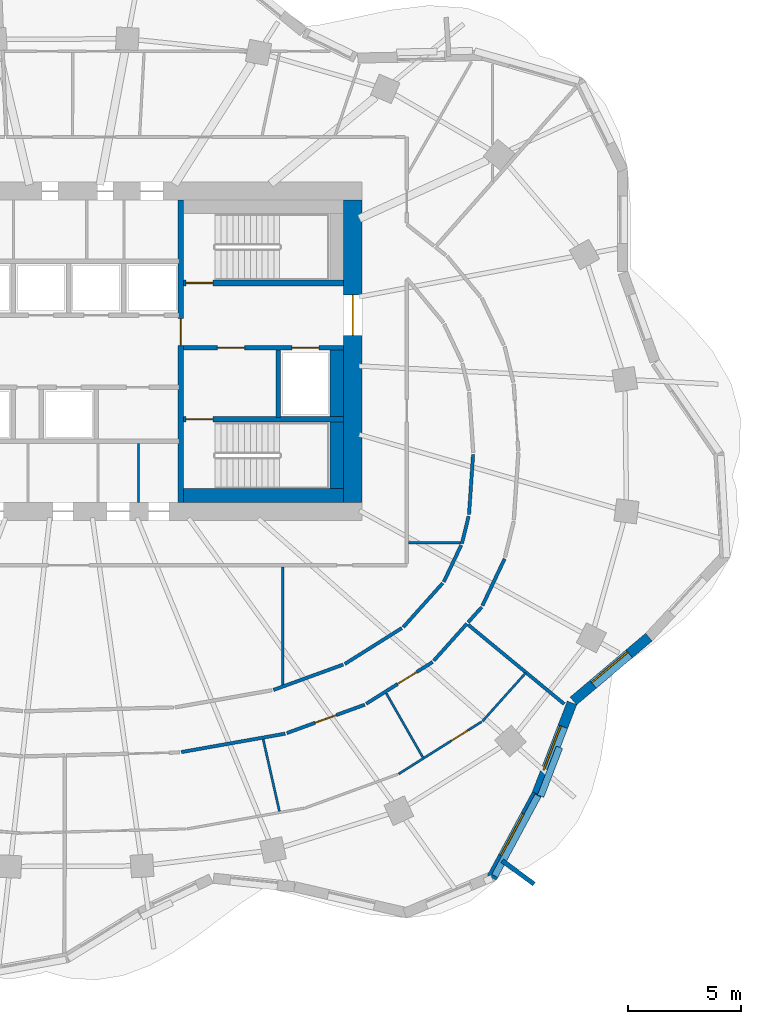
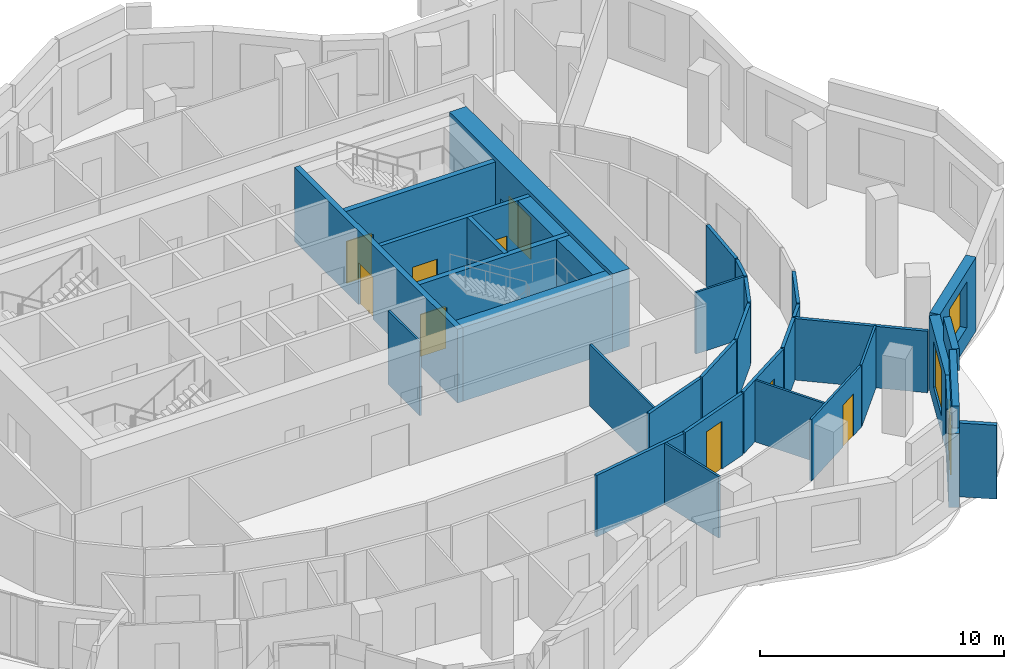
# One storey, part 8 of 13: 35 walls, 9 doors, 3 windows, 12 openings.
"""IFC4 building model written with IfcOpenShell, lengths in metres."""

from ifc_helpers import new_model, si_unit, direction, frame, frame_2d, origin, place, context, subcontext, project, spatial, rectangle, extrude, material, layer, layer_set, type_object, element, fill, save


model = new_model("IFC4")

# Units and contexts
model_context = context("Model", 3, precision=1e-05, world=origin(), true_north=direction((0.0, 1.0)))
body_context = subcontext(model_context, "Body", "Model", "MODEL_VIEW")
ifc_project = project(units=[si_unit("LENGTHUNIT", "METRE"), si_unit("AREAUNIT", "SQUARE_METRE"), si_unit("VOLUMEUNIT", "CUBIC_METRE"), si_unit("PLANEANGLEUNIT", "RADIAN"), si_unit("MASSUNIT", "GRAM", prefix="KILO")], contexts=[model_context])

# Site, building, storey
site_placement = place(None, origin())
site = spatial("IfcSite", under=ifc_project, at=site_placement, CompositionType="ELEMENT")
building_placement = place(site_placement, origin())
building = spatial("IfcBuilding", under=site, at=building_placement, Name="Rubra Terraces Tower", CompositionType="ELEMENT")
storey_placement = place(building_placement, frame((0.0, 0.0, 233.10009765625)))
storey = spatial("IfcBuildingStorey", under=building, at=storey_placement, Name="L57", CompositionType="ELEMENT", Elevation=233.10009765625)

# Wall, opening, window
ifc_material_1 = material(Name="Brick masonry red-brown", Category="masonry")
ifc_layer_1 = layer(ifc_material_1, 0.449951171875)
ifc_layer_set_1 = layer_set([ifc_layer_1], Name="Brick masonry red-brown")
wall_type_1 = type_object("IfcWallType", Name="Brick facade wall 450", PredefinedType="SOLIDWALL", material=ifc_layer_set_1)
wall_1_placement = place(storey_placement, frame((18.767333984375, -18.8544921875, 0.0), z_axis=(0.0, 0.0, 1.0), x_axis=(0.474475888716, 0.880268499395, 0.0)))
wall_1 = element("IfcWall", 1, at=wall_1_placement, inside=storey, type_object=wall_type_1, Name="Facade wall L57 bay 36", PredefinedType="SOLIDWALL", context=body_context, shape_type="SweptSolid", body=[
    extrude(rectangle(XDim=4.21923828125, YDim=0.449951171875, at=frame_2d((2.109619140625, 0.0))), origin(), (0.0, 0.0, 1.0), 3.699951171875),
])
opening_1_placement = place(wall_1_placement, frame((1.059814453125, 0.0, 0.89990234375)))
opening_1 = element("IfcOpeningElement", 2, at=opening_1_placement, cuts=wall_1, Name="Opening W1B", PredefinedType="OPENING", context=body_context, shape_type="SweptSolid", body=[
    extrude(rectangle(XDim=2.10009765625, YDim=2.300048828125, at=frame_2d((1.050048828125, 1.14990234375))), frame((0.0, 0.23486328125, 0.0), z_axis=(0.0, -1.0, 0.0), x_axis=(1.0, 0.0, 0.0)), (0.0, 0.0, 1.0), 0.469970703125),
])
ifc_material_2 = material(Name="Clear glass in aluminium frame", Category="aluminium")
window_type = type_object("IfcWindowType", Name="Fixed deep-set window tall storey 2100 x 2300", PartitioningType="SINGLE_PANEL", PredefinedType="WINDOW", material=ifc_material_2)
window_1_placement = place(opening_1_placement, origin())
window_1 = element("IfcWindow", 3, at=window_1_placement, inside=storey, type_object=window_type, Name="Window L57 bay 36", OverallHeight=2.300048828125, OverallWidth=2.10009765625, PartitioningType="SINGLE_PANEL", PredefinedType="WINDOW", context=body_context, shape_type="SweptSolid", body=[
    extrude(rectangle(XDim=2.10009765625, YDim=2.300048828125, at=frame_2d((1.050048828125, 1.14990234375))), frame((0.0, 0.135009765625, 0.0), z_axis=(0.0, -1.0, 0.0), x_axis=(1.0, 0.0, 0.0)), (0.0, 0.0, 1.0), 0.06005859375),
])
fill(opening_1, window_1)

wall_2_placement = place(storey_placement, frame((20.757080078125, -15.166015625, 0.0), z_axis=(0.0, 0.0, 1.0), x_axis=(0.360067043581, 0.932926430179, 0.0)))
wall_2 = element("IfcWall", 4, at=wall_2_placement, inside=storey, type_object=wall_type_1, Name="Facade wall L57 bay 37", PredefinedType="SOLIDWALL", context=body_context, shape_type="SweptSolid", body=[
    extrude(rectangle(XDim=4.35986328125, YDim=0.449951171875, at=frame_2d((2.179931640625, 0.0))), origin(), (0.0, 0.0, 1.0), 3.699951171875),
])
opening_2_placement = place(wall_2_placement, frame((1.1298828125, 0.0, 0.89990234375)))
opening_2 = element("IfcOpeningElement", 5, at=opening_2_placement, cuts=wall_2, Name="Opening W1B", PredefinedType="OPENING", context=body_context, shape_type="SweptSolid", body=[
    extrude(rectangle(XDim=2.10009765625, YDim=2.300048828125, at=frame_2d((1.050048828125, 1.14990234375))), frame((0.0, 0.23486328125, 0.0), z_axis=(0.0, -1.0, 0.0), x_axis=(1.0, 0.0, 0.0)), (0.0, 0.0, 1.0), 0.469970703125),
])
window_2_placement = place(opening_2_placement, origin())
window_2 = element("IfcWindow", 6, at=window_2_placement, inside=storey, type_object=window_type, Name="Window L57 bay 37", OverallHeight=2.300048828125, OverallWidth=2.10009765625, PartitioningType="SINGLE_PANEL", PredefinedType="WINDOW", context=body_context, shape_type="SweptSolid", body=[
    extrude(rectangle(XDim=2.10009765625, YDim=2.300048828125, at=frame_2d((1.050048828125, 1.14990234375))), frame((0.0, 0.135009765625, 0.0), z_axis=(0.0, -1.0, 0.0), x_axis=(1.0, 0.0, 0.0)), (0.0, 0.0, 1.0), 0.06005859375),
])
fill(opening_2, window_2)

wall_3_placement = place(storey_placement, frame((22.385986328125, -11.014404296875, 0.0), z_axis=(0.0, 0.0, 1.0), x_axis=(0.763569952162, 0.645725118108, 0.0)))
wall_3 = element("IfcWall", 7, at=wall_3_placement, inside=storey, type_object=wall_type_1, Name="Facade wall L57 bay 38", PredefinedType="SOLIDWALL", context=body_context, shape_type="SweptSolid", body=[
    extrude(rectangle(XDim=4.3857421875, YDim=0.449951171875, at=frame_2d((2.19287109375, 0.0))), origin(), (0.0, 0.0, 1.0), 3.699951171875),
])
opening_3_placement = place(wall_3_placement, frame((1.14306640625, 0.0, 0.89990234375)))
opening_3 = element("IfcOpeningElement", 8, at=opening_3_placement, cuts=wall_3, Name="Opening W1B", PredefinedType="OPENING", context=body_context, shape_type="SweptSolid", body=[
    extrude(rectangle(XDim=2.10009765625, YDim=2.300048828125, at=frame_2d((1.050048828125, 1.14990234375))), frame((0.0, 0.23486328125, 0.0), z_axis=(0.0, -1.0, 0.0), x_axis=(1.0, 0.0, 0.0)), (0.0, 0.0, 1.0), 0.469970703125),
])
window_3_placement = place(opening_3_placement, origin())
window_3 = element("IfcWindow", 9, at=window_3_placement, inside=storey, type_object=window_type, Name="Window L57 bay 38", OverallHeight=2.300048828125, OverallWidth=2.10009765625, PartitioningType="SINGLE_PANEL", PredefinedType="WINDOW", context=body_context, shape_type="SweptSolid", body=[
    extrude(rectangle(XDim=2.10009765625, YDim=2.300048828125, at=frame_2d((1.050048828125, 1.14990234375))), frame((0.0, 0.135009765625, 0.0), z_axis=(0.0, -1.0, 0.0), x_axis=(1.0, 0.0, 0.0)), (0.0, 0.0, 1.0), 0.06005859375),
])
fill(opening_3, window_3)

# Walls
ifc_layer_2 = layer(ifc_material_1, 0.300048828125)
ifc_layer_set_2 = layer_set([ifc_layer_2], Name="Brick masonry red-brown")
wall_type_2 = type_object("IfcWallType", Name="Brick parapet 300", PredefinedType="PARAPET", material=ifc_layer_set_2)
wall_4_placement = place(storey_placement, frame((18.896484375, -18.7734375, 3.89990234375), z_axis=(0.0, 0.0, 1.0), x_axis=(0.474444905835, 0.880285198857, 0.0)))
element("IfcWall", 10, at=wall_4_placement, inside=storey, type_object=wall_type_2, Name="Parapet L57 bay 36", PredefinedType="PARAPET", context=body_context, shape_type="SweptSolid", body=[
    extrude(rectangle(XDim=4.0498046875, YDim=0.300048828125, at=frame_2d((2.02490234375, 0.0))), origin(), (0.0, 0.0, 1.0), 1.10009765625),
])
wall_5_placement = place(storey_placement, frame((20.932861328125, -15.236572265625, 3.89990234375), z_axis=(0.0, 0.0, 1.0), x_axis=(0.360021038217, 0.932944184848, 0.0)))
element("IfcWall", 11, at=wall_5_placement, inside=storey, type_object=wall_type_2, Name="Parapet L57 bay 37", PredefinedType="PARAPET", context=body_context, shape_type="SweptSolid", body=[
    extrude(rectangle(XDim=2.3232421875, YDim=0.300048828125, at=frame_2d((1.16162109375, 0.0))), origin(), (0.0, 0.0, 1.0), 1.10009765625),
])
ifc_layer_3 = layer(ifc_material_1, 0.199951171875)
ifc_layer_set_3 = layer_set([ifc_layer_3], Name="Brick masonry red-brown")
wall_type_3 = type_object("IfcWallType", Name="Brick wind fin 200", PredefinedType="SOLIDWALL", material=ifc_layer_set_3)
wall_6_placement = place(storey_placement, frame((19.23095703125, -18.09912109375, 0.0), z_axis=(0.0, 0.0, 1.0), x_axis=(0.806085538754, -0.591799040394, 0.0)))
element("IfcWall", 12, at=wall_6_placement, inside=storey, type_object=wall_type_3, Name="Wind fin L57 21", PredefinedType="SOLIDWALL", context=body_context, shape_type="SweptSolid", body=[
    extrude(rectangle(XDim=1.75, YDim=0.199951171875, at=frame_2d((0.875, 0.0))), origin(), (0.0, 0.0, 1.0), 3.699951171875),
])

# Wall, opening, door
ifc_material_3 = material(Name="Concrete C50", Category="concrete")
ifc_layer_4 = layer(ifc_material_3, 0.800048828125)
ifc_layer_set_4 = layer_set([ifc_layer_4], Name="Concrete C50")
wall_type_4 = type_object("IfcWallType", Name="CORE WALL 800 C50", PredefinedType="SHEAR", material=ifc_layer_set_4)
wall_7_placement = place(storey_placement, frame((12.60009765625, -2.199951171875, 0.0), z_axis=(0.0, 0.0, 1.0), x_axis=(0.0, 1.0, 0.0)))
wall_7 = element("IfcWall", 13, at=wall_7_placement, inside=storey, type_object=wall_type_4, Name="CORE WALL E L57", PredefinedType="SHEAR", context=body_context, shape_type="SweptSolid", body=[
    extrude(rectangle(XDim=13.39990234375, YDim=0.800048828125, at=frame_2d((6.699951171875, 0.0))), origin(), (0.0, 0.0, 1.0), 3.89990234375),
])
opening_4_placement = place(wall_7_placement, frame((7.39990234375, 0.0, 0.0)))
opening_4 = element("IfcOpeningElement", 14, at=opening_4_placement, cuts=wall_7, Name="Opening L57.C02", PredefinedType="OPENING", context=body_context, shape_type="SweptSolid", body=[
    extrude(rectangle(XDim=1.800048828125, YDim=2.10009765625, at=frame_2d((0.89990234375, 1.050048828125))), frame((0.0, 0.409912109375, 0.0), z_axis=(0.0, -1.0, 0.0), x_axis=(1.0, 0.0, 0.0)), (0.0, 0.0, 1.0), 0.820068359375),
])
ifc_material_4 = material(Name="Painted steel", Category="steel")
door_type_1 = type_object("IfcDoorType", Name="Fire door 1800x2100 double", OperationType="NOTDEFINED", PredefinedType="DOOR", material=ifc_material_4)
door_1_placement = place(opening_4_placement, origin())
door_1 = element("IfcDoor", 15, at=door_1_placement, inside=storey, type_object=door_type_1, Name="Core entrance door FF2", OperationType="DOUBLE_DOOR_SINGLE_SWING", OverallHeight=2.10009765625, OverallWidth=1.800048828125, PredefinedType="DOOR", context=body_context, shape_type="SweptSolid", body=[
    extrude(rectangle(XDim=1.800048828125, YDim=2.10009765625, at=frame_2d((0.89990234375, 1.050048828125))), frame((0.0, 0.02490234375, 0.0), z_axis=(0.0, -1.0, 0.0), x_axis=(1.0, 0.0, 0.0)), (0.0, 0.0, 1.0), 0.050048828125),
])
fill(opening_4, door_1)

# Wall
ifc_material_5 = material(Name="Plasterboard on steel stud, mineral wool infill", Category="steel")
ifc_layer_5 = layer(ifc_material_5, 0.14990234375)
ifc_layer_set_5 = layer_set([ifc_layer_5], Name="Plasterboard on steel stud, mineral wool infill")
wall_type_5 = type_object("IfcWallType", Name="CORRIDOR PARTITION 150", PredefinedType="PARTITIONING", material=ifc_layer_set_5)
wall_8_placement = place(storey_placement, frame((4.994873046875, -13.28125, 0.0), z_axis=(0.0, 0.0, 1.0), x_axis=(0.98463411377, 0.174630071865, 0.0)))
element("IfcWall", 16, at=wall_8_placement, inside=storey, type_object=wall_type_5, Name="PARTITION", PredefinedType="PARTITIONING", context=body_context, shape_type="SweptSolid", body=[
    extrude(rectangle(XDim=4.68212890625, YDim=0.14990234375, at=frame_2d((2.341064453125, 0.0))), origin(), (0.0, 0.0, 1.0), 3.083984375),
])

# Wall, opening, door
wall_9_placement = place(storey_placement, frame((9.675537109375, -12.43798828125, 0.0), z_axis=(0.0, 0.0, 1.0), x_axis=(0.939640289748, 0.342163887461, 0.0)))
wall_9 = element("IfcWall", 17, at=wall_9_placement, inside=storey, type_object=wall_type_5, Name="PARTITION", PredefinedType="PARTITIONING", context=body_context, shape_type="SweptSolid", body=[
    extrude(rectangle(XDim=3.6796875, YDim=0.14990234375, at=frame_2d((1.83984375, 0.0))), origin(), (0.0, 0.0, 1.0), 3.083984375),
])
opening_5_placement = place(wall_9_placement, frame((1.3369140625, 0.0, 0.0)))
opening_5 = element("IfcOpeningElement", 18, at=opening_5_placement, cuts=wall_9, Name="Opening 57-109", PredefinedType="OPENING", context=body_context, shape_type="SweptSolid", body=[
    extrude(rectangle(XDim=1.0, YDim=2.39990234375, at=frame_2d((0.5, 1.199951171875))), frame((0.0, 0.0849609375, 0.0), z_axis=(0.0, -1.0, 0.0), x_axis=(1.0, 0.0, 0.0)), (0.0, 0.0, 1.0), 0.169921875),
])
ifc_material_6 = material(Name="Glazed aluminium meeting door leaf", Category="aluminium")
door_type_2 = type_object("IfcDoorType", Name="MEETING ROOM GLAZED DOOR 1000 X 2400", OperationType="SINGLE_SWING_LEFT", PredefinedType="DOOR", material=ifc_material_6)
door_2_placement = place(opening_5_placement, origin())
door_2 = element("IfcDoor", 19, at=door_2_placement, inside=storey, type_object=door_type_2, Name="DOOR 57-109", OperationType="SINGLE_SWING_RIGHT", OverallHeight=2.39990234375, OverallWidth=1.0, PredefinedType="DOOR", context=body_context, shape_type="SweptSolid", body=[
    extrude(rectangle(XDim=1.0, YDim=2.39990234375, at=frame_2d((0.5, 1.199951171875))), frame((0.0, 0.02490234375, 0.0), z_axis=(0.0, -1.0, 0.0), x_axis=(1.0, 0.0, 0.0)), (0.0, 0.0, 1.0), 0.050048828125),
])
fill(opening_5, door_2)

wall_10_placement = place(storey_placement, frame((13.196533203125, -11.138916015625, 0.0), z_axis=(0.0, 0.0, 1.0), x_axis=(0.846390903833, 0.532562144644, 0.0)))
wall_10 = element("IfcWall", 20, at=wall_10_placement, inside=storey, type_object=wall_type_5, Name="PARTITION", PredefinedType="PARTITIONING", context=body_context, shape_type="SweptSolid", body=[
    extrude(rectangle(XDim=3.481201171875, YDim=0.14990234375, at=frame_2d((1.74072265625, 0.0))), origin(), (0.0, 0.0, 1.0), 3.083984375),
])
opening_6_placement = place(wall_10_placement, frame((1.64990234375, 0.0, 0.0)))
opening_6 = element("IfcOpeningElement", 21, at=opening_6_placement, cuts=wall_10, Name="Opening 57-127", PredefinedType="OPENING", context=body_context, shape_type="SweptSolid", body=[
    extrude(rectangle(XDim=1.0, YDim=2.10009765625, at=frame_2d((0.5, 1.050048828125))), frame((0.0, 0.0849609375, 0.0), z_axis=(0.0, -1.0, 0.0), x_axis=(1.0, 0.0, 0.0)), (0.0, 0.0, 1.0), 0.169921875),
])
ifc_material_7 = material(Name="Painted timber door leaf", Category="wood")
door_type_3 = type_object("IfcDoorType", Name="ROOM DOOR 1000 X 2100", OperationType="SINGLE_SWING_LEFT", PredefinedType="DOOR", material=ifc_material_7)
door_3_placement = place(opening_6_placement, origin())
door_3 = element("IfcDoor", 22, at=door_3_placement, inside=storey, type_object=door_type_3, Name="DOOR 57-127", OperationType="SINGLE_SWING_RIGHT", OverallHeight=2.10009765625, OverallWidth=1.0, PredefinedType="DOOR", context=body_context, shape_type="SweptSolid", body=[
    extrude(rectangle(XDim=1.0, YDim=2.10009765625, at=frame_2d((0.5, 1.050048828125))), frame((0.0, 0.02490234375, 0.0), z_axis=(0.0, -1.0, 0.0), x_axis=(1.0, 0.0, 0.0)), (0.0, 0.0, 1.0), 0.050048828125),
])
fill(opening_6, door_3)

# Walls
wall_11_placement = place(storey_placement, frame((16.193115234375, -9.22900390625, 0.0), z_axis=(0.0, 0.0, 1.0), x_axis=(0.666901607283, 0.745145788556, 0.0)))
element("IfcWall", 23, at=wall_11_placement, inside=storey, type_object=wall_type_5, Name="PARTITION", PredefinedType="PARTITIONING", context=body_context, shape_type="SweptSolid", body=[
    extrude(rectangle(XDim=2.2060546875, YDim=0.14990234375, at=frame_2d((1.10302734375, 0.0))), origin(), (0.0, 0.0, 1.0), 3.083984375),
])
wall_12_placement = place(storey_placement, frame((17.714111328125, -7.529296875, 0.0), z_axis=(0.0, 0.0, 1.0), x_axis=(0.666975287656, 0.745079838444, 0.0)))
element("IfcWall", 24, at=wall_12_placement, inside=storey, type_object=wall_type_5, Name="PARTITION", PredefinedType="PARTITIONING", context=body_context, shape_type="SweptSolid", body=[
    extrude(rectangle(XDim=0.90966796875, YDim=0.14990234375, at=frame_2d((0.454833984375, 0.0))), origin(), (0.0, 0.0, 1.0), 3.083984375),
])
wall_13_placement = place(storey_placement, frame((18.35302734375, -6.78369140625, 0.0), z_axis=(0.0, 0.0, 1.0), x_axis=(0.428086344739, 0.903737838894, 0.0)))
element("IfcWall", 25, at=wall_13_placement, inside=storey, type_object=wall_type_5, Name="PARTITION", PredefinedType="PARTITIONING", context=body_context, shape_type="SweptSolid", body=[
    extrude(rectangle(XDim=2.299560546875, YDim=0.14990234375, at=frame_2d((1.14990234375, 0.0))), origin(), (0.0, 0.0, 1.0), 3.083984375),
])
wall_14_placement = place(storey_placement, frame((17.939208984375, -0.07470703125, 0.0), z_axis=(0.0, 0.0, 1.0), x_axis=(-0.068226099283, -0.99766988497, 0.0)))
element("IfcWall", 26, at=wall_14_placement, inside=storey, type_object=wall_type_5, Name="PARTITION", PredefinedType="PARTITIONING", context=body_context, shape_type="SweptSolid", body=[
    extrude(rectangle(XDim=2.6767578125, YDim=0.14990234375, at=frame_2d((1.33837890625, 0.0))), origin(), (0.0, 0.0, 1.0), 3.083984375),
])
wall_15_placement = place(storey_placement, frame((17.739013671875, -2.818115234375, 0.0), z_axis=(0.0, 0.0, 1.0), x_axis=(-0.236884307907, -0.971537865792, 0.0)))
element("IfcWall", 27, at=wall_15_placement, inside=storey, type_object=wall_type_5, Name="PARTITION", PredefinedType="PARTITIONING", context=body_context, shape_type="SweptSolid", body=[
    extrude(rectangle(XDim=1.251220703125, YDim=0.14990234375, at=frame_2d((0.62548828125, 0.0))), origin(), (0.0, 0.0, 1.0), 3.083984375),
])
wall_16_placement = place(storey_placement, frame((17.410400390625, -4.1015625, 0.0), z_axis=(0.0, 0.0, 1.0), x_axis=(-0.428074720318, -0.903743345107, 0.0)))
element("IfcWall", 28, at=wall_16_placement, inside=storey, type_object=wall_type_5, Name="PARTITION", PredefinedType="PARTITIONING", context=body_context, shape_type="SweptSolid", body=[
    extrude(rectangle(XDim=1.8056640625, YDim=0.14990234375, at=frame_2d((0.90283203125, 0.0))), origin(), (0.0, 0.0, 1.0), 3.083984375),
])
wall_17_placement = place(storey_placement, frame((16.58740234375, -5.789306640625, 0.0), z_axis=(0.0, 0.0, 1.0), x_axis=(-0.666887460656, -0.745158449472, 0.0)))
element("IfcWall", 29, at=wall_17_placement, inside=storey, type_object=wall_type_5, Name="PARTITION", PredefinedType="PARTITIONING", context=body_context, shape_type="SweptSolid", body=[
    extrude(rectangle(XDim=2.6201171875, YDim=0.14990234375, at=frame_2d((1.31005859375, 0.0))), origin(), (0.0, 0.0, 1.0), 3.083984375),
])
wall_18_placement = place(storey_placement, frame((14.776611328125, -7.781494140625, 0.0), z_axis=(0.0, 0.0, 1.0), x_axis=(-0.846359741043, -0.532611667862, 0.0)))
element("IfcWall", 30, at=wall_18_placement, inside=storey, type_object=wall_type_5, Name="PARTITION", PredefinedType="PARTITIONING", context=body_context, shape_type="SweptSolid", body=[
    extrude(rectangle(XDim=2.9873046875, YDim=0.14990234375, at=frame_2d((1.49365234375, 0.0))), origin(), (0.0, 0.0, 1.0), 3.083984375),
])
wall_19_placement = place(storey_placement, frame((12.177734375, -9.398193359375, 0.0), z_axis=(0.0, 0.0, 1.0), x_axis=(-0.939609240084, -0.342249143093, 0.0)))
element("IfcWall", 31, at=wall_19_placement, inside=storey, type_object=wall_type_5, Name="PARTITION", PredefinedType="PARTITIONING", context=body_context, shape_type="SweptSolid", body=[
    extrude(rectangle(XDim=3.2919921875, YDim=0.14990234375, at=frame_2d((1.64599609375, 0.0))), origin(), (0.0, 0.0, 1.0), 3.083984375),
])
ifc_material_8 = material(Name="Concrete C40", Category="concrete")
ifc_layer_6 = layer(ifc_material_8, 0.60009765625)
ifc_layer_set_6 = layer_set([ifc_layer_6], Name="Concrete C40")
wall_type_6 = type_object("IfcWallType", Name="Core lining wall 600 concrete", PredefinedType="SOLIDWALL", material=ifc_layer_set_6)
wall_20_placement = place(storey_placement, frame((11.89990234375, 4.550048828125, 0.0), z_axis=(0.0, 0.0, 1.0), x_axis=(0.0, -1.0, 0.0)))
element("IfcWall", 32, at=wall_20_placement, inside=storey, type_object=wall_type_6, Name="CORE LINING WALL L57", PredefinedType="SOLIDWALL", context=body_context, shape_type="SweptSolid", body=[
    extrude(rectangle(XDim=3.0, YDim=0.60009765625, at=frame_2d((1.5, 0.0))), origin(), (0.0, 0.0, 1.0), 3.699951171875),
])
wall_21_placement = place(storey_placement, frame((11.89990234375, 1.35009765625, 0.0), z_axis=(0.0, 0.0, 1.0), x_axis=(0.0, -1.0, 0.0)))
element("IfcWall", 33, at=wall_21_placement, inside=storey, type_object=wall_type_6, Name="CORE LINING WALL L57", PredefinedType="SOLIDWALL", context=body_context, shape_type="SweptSolid", body=[
    extrude(rectangle(XDim=2.9501953125, YDim=0.60009765625, at=frame_2d((1.47509765625, 0.0))), origin(), (0.0, 0.0, 1.0), 3.699951171875),
])
wall_22_placement = place(storey_placement, frame((12.199951171875, -1.89990234375, 0.0), z_axis=(0.0, 0.0, 1.0), x_axis=(-1.0, 0.0, 0.0)))
element("IfcWall", 34, at=wall_22_placement, inside=storey, type_object=wall_type_6, Name="CORE LINING WALL L57", PredefinedType="SOLIDWALL", context=body_context, shape_type="SweptSolid", body=[
    extrude(rectangle(XDim=7.099853515625, YDim=0.60009765625, at=frame_2d((3.5498046875, 0.0))), origin(), (0.0, 0.0, 1.0), 3.699951171875),
])

# Wall, openings, doors
ifc_material_9 = material(Name="Concrete C30", Category="concrete")
ifc_layer_7 = layer(ifc_material_9, 0.199951171875)
ifc_layer_set_7 = layer_set([ifc_layer_7], Name="Concrete C30")
wall_type_7 = type_object("IfcWallType", Name="Core wall 200 concrete", PredefinedType="SOLIDWALL", material=ifc_layer_set_7)
wall_23_placement = place(storey_placement, frame((12.199951171875, 4.64990234375, 0.0), z_axis=(0.0, 0.0, 1.0), x_axis=(-1.0, 0.0, 0.0)))
wall_23 = element("IfcWall", 35, at=wall_23_placement, inside=storey, type_object=wall_type_7, Name="STAIR WALL L57", PredefinedType="SOLIDWALL", context=body_context, shape_type="SweptSolid", body=[
    extrude(rectangle(XDim=7.099853515625, YDim=0.199951171875, at=frame_2d((3.5498046875, 0.0))), origin(), (0.0, 0.0, 1.0), 3.699951171875),
])
opening_7_placement = place(wall_23_placement, frame((4.39990234375, 0.0, 0.0)))
opening_7 = element("IfcOpeningElement", 36, at=opening_7_placement, cuts=wall_23, Name="Opening L57.C06", PredefinedType="OPENING", context=body_context, shape_type="SweptSolid", body=[
    extrude(rectangle(XDim=1.199951171875, YDim=2.10009765625, at=frame_2d((0.60009765625, 1.050048828125))), frame((0.0, 0.10986328125, 0.0), z_axis=(0.0, -1.0, 0.0), x_axis=(1.0, 0.0, 0.0)), (0.0, 0.0, 1.0), 0.219970703125),
])
opening_8_placement = place(wall_23_placement, frame((1.10009765625, 0.0, 0.0)))
opening_8 = element("IfcOpeningElement", 37, at=opening_8_placement, cuts=wall_23, Name="Opening L57.C12", PredefinedType="OPENING", context=body_context, shape_type="SweptSolid", body=[
    extrude(rectangle(XDim=1.199951171875, YDim=2.10009765625, at=frame_2d((0.60009765625, 1.050048828125))), frame((0.0, 0.10986328125, 0.0), z_axis=(0.0, -1.0, 0.0), x_axis=(1.0, 0.0, 0.0)), (0.0, 0.0, 1.0), 0.219970703125),
])
door_type_4 = type_object("IfcDoorType", Name="Fire door 1200x2100 single", OperationType="NOTDEFINED", PredefinedType="DOOR", material=ifc_material_4)
door_4_placement = place(opening_7_placement, origin())
door_4 = element("IfcDoor", 38, at=door_4_placement, inside=storey, type_object=door_type_4, Name="Stair vestibule door S4", OperationType="SINGLE_SWING_RIGHT", OverallHeight=2.10009765625, OverallWidth=1.199951171875, PredefinedType="DOOR", context=body_context, shape_type="SweptSolid", body=[
    extrude(rectangle(XDim=1.199951171875, YDim=2.10009765625, at=frame_2d((0.60009765625, 1.050048828125))), frame((0.0, 0.02490234375, 0.0), z_axis=(0.0, -1.0, 0.0), x_axis=(1.0, 0.0, 0.0)), (0.0, 0.0, 1.0), 0.050048828125),
])
fill(opening_7, door_4)
ifc_material_10 = material(Name="Stainless steel", Category="steel")
door_type_5 = type_object("IfcDoorType", Name="Lift landing door 1200x2100", OperationType="NOTDEFINED", PredefinedType="DOOR", material=ifc_material_10)
door_5_placement = place(opening_8_placement, origin())
door_5 = element("IfcDoor", 39, at=door_5_placement, inside=storey, type_object=door_type_5, Name="Landing door FF2", OperationType="SLIDING_TO_RIGHT", OverallHeight=2.10009765625, OverallWidth=1.199951171875, PredefinedType="DOOR", context=body_context, shape_type="SweptSolid", body=[
    extrude(rectangle(XDim=1.199951171875, YDim=2.10009765625, at=frame_2d((0.60009765625, 1.050048828125))), frame((0.0, 0.02490234375, 0.0), z_axis=(0.0, -1.0, 0.0), x_axis=(1.0, 0.0, 0.0)), (0.0, 0.0, 1.0), 0.050048828125),
])
fill(opening_8, door_5)

# Walls
wall_24_placement = place(storey_placement, frame((9.300048828125, 4.550048828125, 0.0), z_axis=(0.0, 0.0, 1.0), x_axis=(0.0, -1.0, 0.0)))
element("IfcWall", 40, at=wall_24_placement, inside=storey, type_object=wall_type_7, Name="STAIR WALL L57", PredefinedType="SOLIDWALL", context=body_context, shape_type="SweptSolid", body=[
    extrude(rectangle(XDim=3.0, YDim=0.199951171875, at=frame_2d((1.5, 0.0))), origin(), (0.0, 0.0, 1.0), 3.699951171875),
])
ifc_material_11 = material(Name="Plasterboard on steel stud", Category="steel")
ifc_layer_8 = layer(ifc_material_11, 0.10009765625)
ifc_layer_set_8 = layer_set([ifc_layer_8], Name="Plasterboard on steel stud")
wall_type_8 = type_object("IfcWallType", Name="ROOM PARTITION 100", PredefinedType="PARTITIONING", material=ifc_layer_set_8)
wall_25_placement = place(storey_placement, frame((20.27490234375, -9.7666015625, 0.0), z_axis=(0.0, 0.0, 1.0), x_axis=(-0.66695374861, -0.745099119054, 0.0)))
element("IfcWall", 41, at=wall_25_placement, inside=storey, type_object=wall_type_8, Name="PARTITION", PredefinedType="PARTITIONING", context=body_context, shape_type="SweptSolid", body=[
    extrude(rectangle(XDim=2.874267578125, YDim=0.10009765625, at=frame_2d((1.43701171875, 0.0))), origin(), (0.0, 0.0, 1.0), 3.083984375),
])

# Wall, opening, door
wall_26_placement = place(storey_placement, frame((18.315673828125, -11.934814453125, 0.0), z_axis=(0.0, 0.0, 1.0), x_axis=(-0.84637539713, -0.532586788358, 0.0)))
wall_26 = element("IfcWall", 42, at=wall_26_placement, inside=storey, type_object=wall_type_8, Name="PARTITION", PredefinedType="PARTITIONING", context=body_context, shape_type="SweptSolid", body=[
    extrude(rectangle(XDim=4.34619140625, YDim=0.10009765625, at=frame_2d((2.173095703125, 0.0))), origin(), (0.0, 0.0, 1.0), 3.083984375),
])
opening_9_placement = place(wall_26_placement, frame((0.699951171875, 0.0, 0.0)))
opening_9 = element("IfcOpeningElement", 43, at=opening_9_placement, cuts=wall_26, Name="Opening 57-110", PredefinedType="OPENING", context=body_context, shape_type="SweptSolid", body=[
    extrude(rectangle(XDim=0.89990234375, YDim=2.10009765625, at=frame_2d((0.449951171875, 1.050048828125))), frame((0.0, 0.06005859375, 0.0), z_axis=(0.0, -1.0, 0.0), x_axis=(1.0, 0.0, 0.0)), (0.0, 0.0, 1.0), 0.1201171875),
])
door_type_6 = type_object("IfcDoorType", Name="ROOM DOOR 900 X 2100", OperationType="SINGLE_SWING_LEFT", PredefinedType="DOOR", material=ifc_material_7)
door_6_placement = place(opening_9_placement, origin())
door_6 = element("IfcDoor", 44, at=door_6_placement, inside=storey, type_object=door_type_6, Name="DOOR 57-110", OperationType="SINGLE_SWING_LEFT", OverallHeight=2.10009765625, OverallWidth=0.89990234375, PredefinedType="DOOR", context=body_context, shape_type="SweptSolid", body=[
    extrude(rectangle(XDim=0.89990234375, YDim=2.10009765625, at=frame_2d((0.449951171875, 1.050048828125))), frame((0.0, 0.02490234375, 0.0), z_axis=(0.0, -1.0, 0.0), x_axis=(1.0, 0.0, 0.0)), (0.0, 0.0, 1.0), 0.050048828125),
])
fill(opening_9, door_6)

# Walls
wall_27_placement = place(storey_placement, frame((8.627197265625, -12.71337890625, 0.0), z_axis=(0.0, 0.0, 1.0), x_axis=(0.220343151244, -0.975422419109, 0.0)))
element("IfcWall", 45, at=wall_27_placement, inside=storey, type_object=wall_type_8, Name="PARTITION", PredefinedType="PARTITIONING", context=body_context, shape_type="SweptSolid", body=[
    extrude(rectangle(XDim=3.278564453125, YDim=0.10009765625, at=frame_2d((1.63916015625, 0.0))), origin(), (0.0, 0.0, 1.0), 3.083984375),
])
wall_28_placement = place(storey_placement, frame((14.083984375, -10.6689453125, 0.0), z_axis=(0.0, 0.0, 1.0), x_axis=(0.495922375445, -0.868366856538, 0.0)))
element("IfcWall", 46, at=wall_28_placement, inside=storey, type_object=wall_type_8, Name="PARTITION", PredefinedType="PARTITIONING", context=body_context, shape_type="SweptSolid", body=[
    extrude(rectangle(XDim=3.2783203125, YDim=0.10009765625, at=frame_2d((1.63916015625, 0.0))), origin(), (0.0, 0.0, 1.0), 3.083984375),
])
wall_29_placement = place(storey_placement, frame((9.5, -10.298583984375, 0.0), z_axis=(0.0, 0.0, 1.0), x_axis=(0.0, 1.0, 0.0)))
element("IfcWall", 47, at=wall_29_placement, inside=storey, type_object=wall_type_8, Name="PARTITION", PredefinedType="PARTITIONING", context=body_context, shape_type="SweptSolid", body=[
    extrude(rectangle(XDim=5.2236328125, YDim=0.10009765625, at=frame_2d((2.61181640625, 0.0))), origin(), (0.0, 0.0, 1.0), 3.083984375),
])
wall_30_placement = place(storey_placement, frame((15.074951171875, -4.0, 0.0), z_axis=(0.0, 0.0, 1.0), x_axis=(1.0, 0.0, 0.0)))
element("IfcWall", 48, at=wall_30_placement, inside=storey, type_object=wall_type_8, Name="PARTITION", PredefinedType="PARTITIONING", context=body_context, shape_type="SweptSolid", body=[
    extrude(rectangle(XDim=2.30078125, YDim=0.10009765625, at=frame_2d((1.150390625, 0.0))), origin(), (0.0, 0.0, 1.0), 3.083984375),
])
ifc_layer_9 = layer(ifc_material_11, 0.14990234375)
ifc_layer_set_9 = layer_set([ifc_layer_9], Name="Plasterboard on steel stud")
wall_type_9 = type_object("IfcWallType", Name="ROOM PARTITION 150", PredefinedType="PARTITIONING", material=ifc_layer_set_9)
wall_31_placement = place(storey_placement, frame((21.981201171875, -11.149658203125, 0.0), z_axis=(0.0, 0.0, 1.0), x_axis=(-0.771133462492, 0.63667352939, 0.0)))
element("IfcWall", 49, at=wall_31_placement, inside=storey, type_object=wall_type_9, Name="PARTITION", PredefinedType="PARTITIONING", context=body_context, shape_type="SweptSolid", body=[
    extrude(rectangle(XDim=5.5234375, YDim=0.14990234375, at=frame_2d((2.76171875, 0.0))), origin(), (0.0, 0.0, 1.0), 3.083984375),
])
ifc_material_12 = material(Name="Blockwork", Category="masonry")
ifc_layer_10 = layer(ifc_material_12, 0.10009765625)
ifc_layer_set_10 = layer_set([ifc_layer_10], Name="Blockwork")
wall_type_10 = type_object("IfcWallType", Name="Service partition 100 blockwork", PredefinedType="PARTITIONING", material=ifc_layer_set_10)
wall_32_placement = place(storey_placement, frame((3.10009765625, -2.199951171875, 0.0), z_axis=(0.0, 0.0, 1.0), x_axis=(0.0, 1.0, 0.0)))
element("IfcWall", 50, at=wall_32_placement, inside=storey, type_object=wall_type_10, Name="SERVICE ROOM PARTITION L57", PredefinedType="PARTITIONING", context=body_context, shape_type="SweptSolid", body=[
    extrude(rectangle(XDim=2.599853515625, YDim=0.10009765625, at=frame_2d((1.2998046875, 0.0))), origin(), (0.0, 0.0, 1.0), 3.699951171875),
])

# Wall, opening, door
ifc_layer_11 = layer(ifc_material_8, 0.25)
ifc_layer_set_11 = layer_set([ifc_layer_11], Name="Concrete C40")
wall_type_11 = type_object("IfcWallType", Name="Stair enclosure wall 250 concrete", PredefinedType="SOLIDWALL", material=ifc_layer_set_11)
wall_33_placement = place(storey_placement, frame((12.199951171875, 7.52490234375, 0.0), z_axis=(0.0, 0.0, 1.0), x_axis=(-1.0, 0.0, 0.0)))
wall_33 = element("IfcWall", 51, at=wall_33_placement, inside=storey, type_object=wall_type_11, Name="STAIR WALL L57", PredefinedType="SOLIDWALL", context=body_context, shape_type="SweptSolid", body=[
    extrude(rectangle(XDim=7.099853515625, YDim=0.25, at=frame_2d((3.5498046875, 0.0))), origin(), (0.0, 0.0, 1.0), 3.699951171875),
])
opening_10_placement = place(wall_33_placement, frame((5.800048828125, 0.0, 0.0)))
opening_10 = element("IfcOpeningElement", 52, at=opening_10_placement, cuts=wall_33, Name="Opening L57.C08", PredefinedType="OPENING", context=body_context, shape_type="SweptSolid", body=[
    extrude(rectangle(XDim=1.199951171875, YDim=2.10009765625, at=frame_2d((0.60009765625, 1.050048828125))), frame((0.0, 0.135009765625, 0.0), z_axis=(0.0, -1.0, 0.0), x_axis=(1.0, 0.0, 0.0)), (0.0, 0.0, 1.0), 0.27001953125),
])
door_7_placement = place(opening_10_placement, origin())
door_7 = element("IfcDoor", 53, at=door_7_placement, inside=storey, type_object=door_type_4, Name="Stair door S3", OperationType="SINGLE_SWING_RIGHT", OverallHeight=2.10009765625, OverallWidth=1.199951171875, PredefinedType="DOOR", context=body_context, shape_type="SweptSolid", body=[
    extrude(rectangle(XDim=1.199951171875, YDim=2.10009765625, at=frame_2d((0.60009765625, 1.050048828125))), frame((0.0, 0.02490234375, 0.0), z_axis=(0.0, -1.0, 0.0), x_axis=(1.0, 0.0, 0.0)), (0.0, 0.0, 1.0), 0.050048828125),
])
fill(opening_10, door_7)

wall_34_placement = place(storey_placement, frame((12.199951171875, 1.47509765625, 0.0), z_axis=(0.0, 0.0, 1.0), x_axis=(-1.0, 0.0, 0.0)))
wall_34 = element("IfcWall", 54, at=wall_34_placement, inside=storey, type_object=wall_type_11, Name="STAIR WALL L57", PredefinedType="SOLIDWALL", context=body_context, shape_type="SweptSolid", body=[
    extrude(rectangle(XDim=7.099853515625, YDim=0.25, at=frame_2d((3.5498046875, 0.0))), origin(), (0.0, 0.0, 1.0), 3.699951171875),
])
opening_11_placement = place(wall_34_placement, frame((5.800048828125, 0.0, 0.0)))
opening_11 = element("IfcOpeningElement", 55, at=opening_11_placement, cuts=wall_34, Name="Opening L57.C10", PredefinedType="OPENING", context=body_context, shape_type="SweptSolid", body=[
    extrude(rectangle(XDim=1.199951171875, YDim=2.10009765625, at=frame_2d((0.60009765625, 1.050048828125))), frame((0.0, 0.135009765625, 0.0), z_axis=(0.0, -1.0, 0.0), x_axis=(1.0, 0.0, 0.0)), (0.0, 0.0, 1.0), 0.27001953125),
])
door_8_placement = place(opening_11_placement, origin())
door_8 = element("IfcDoor", 56, at=door_8_placement, inside=storey, type_object=door_type_4, Name="Stair door S4", OperationType="SINGLE_SWING_RIGHT", OverallHeight=2.10009765625, OverallWidth=1.199951171875, PredefinedType="DOOR", context=body_context, shape_type="SweptSolid", body=[
    extrude(rectangle(XDim=1.199951171875, YDim=2.10009765625, at=frame_2d((0.60009765625, 1.050048828125))), frame((0.0, 0.02490234375, 0.0), z_axis=(0.0, -1.0, 0.0), x_axis=(1.0, 0.0, 0.0)), (0.0, 0.0, 1.0), 0.050048828125),
])
fill(opening_11, door_8)

wall_35_placement = place(storey_placement, frame((4.97509765625, 11.199951171875, 0.0), z_axis=(0.0, 0.0, 1.0), x_axis=(0.0, -1.0, 0.0)))
wall_35 = element("IfcWall", 57, at=wall_35_placement, inside=storey, type_object=wall_type_11, Name="CORE LOBBY WALL L57", PredefinedType="SOLIDWALL", context=body_context, shape_type="SweptSolid", body=[
    extrude(rectangle(XDim=13.39990234375, YDim=0.25, at=frame_2d((6.699951171875, 0.0))), origin(), (0.0, 0.0, 1.0), 3.699951171875),
])
opening_12_placement = place(wall_35_placement, frame((5.25, 0.0, 0.0)))
opening_12 = element("IfcOpeningElement", 58, at=opening_12_placement, cuts=wall_35, Name="Opening L57.C04", PredefinedType="OPENING", context=body_context, shape_type="SweptSolid", body=[
    extrude(rectangle(XDim=1.199951171875, YDim=2.10009765625, at=frame_2d((0.60009765625, 1.050048828125))), frame((0.0, 0.135009765625, 0.0), z_axis=(0.0, -1.0, 0.0), x_axis=(1.0, 0.0, 0.0)), (0.0, 0.0, 1.0), 0.27001953125),
])
door_9_placement = place(opening_12_placement, origin())
door_9 = element("IfcDoor", 59, at=door_9_placement, inside=storey, type_object=door_type_4, Name="Firefighting lobby door FF2", OperationType="SINGLE_SWING_RIGHT", OverallHeight=2.10009765625, OverallWidth=1.199951171875, PredefinedType="DOOR", context=body_context, shape_type="SweptSolid", body=[
    extrude(rectangle(XDim=1.199951171875, YDim=2.10009765625, at=frame_2d((0.60009765625, 1.050048828125))), frame((0.0, 0.02490234375, 0.0), z_axis=(0.0, -1.0, 0.0), x_axis=(1.0, 0.0, 0.0)), (0.0, 0.0, 1.0), 0.050048828125),
])
fill(opening_12, door_9)

save(model, "model.ifc")
